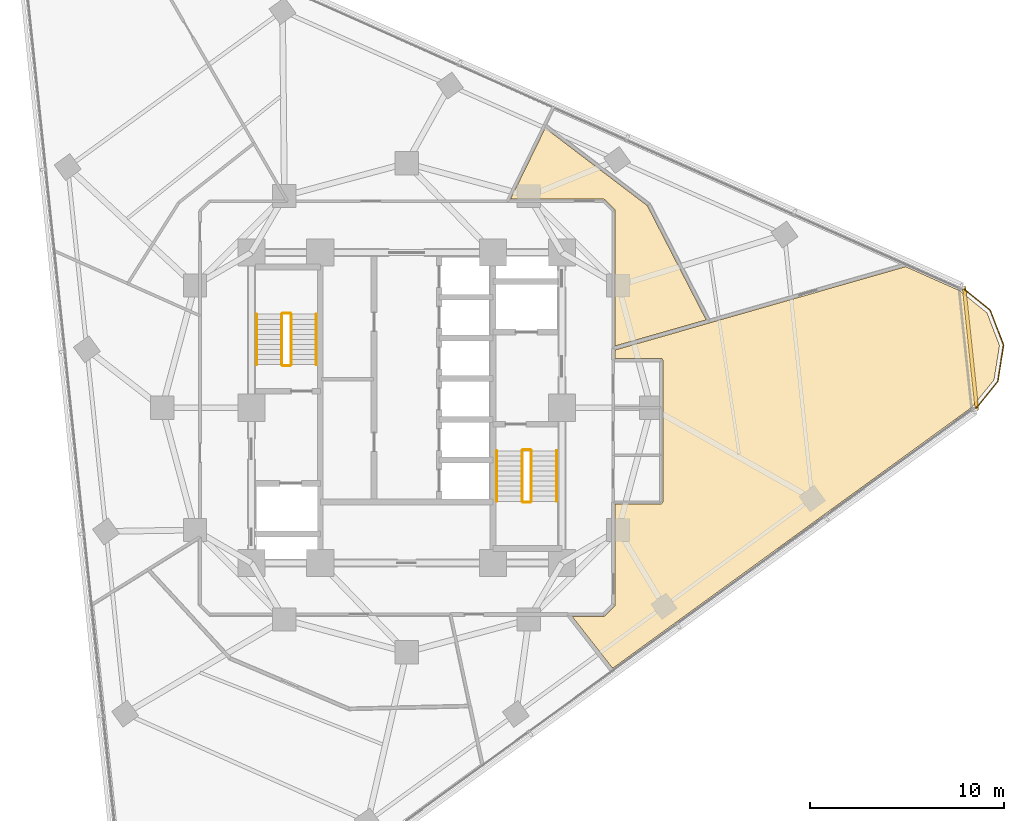
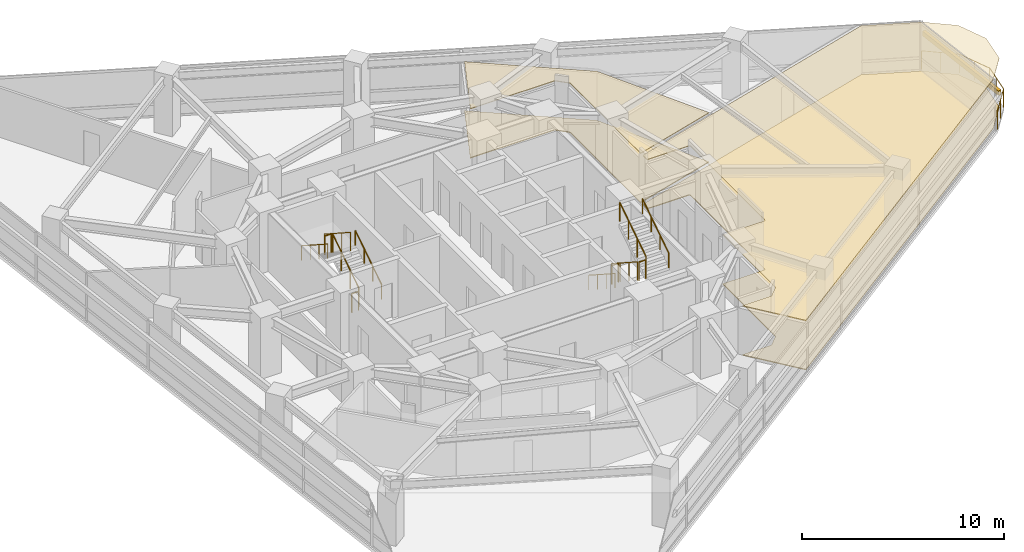
# One storey, part 13 of 14: 13 railings, 4 coverings, 1 shading device.
"""IFC4 building model written with IfcOpenShell, lengths in metres."""

from ifc_helpers import new_model, si_unit, direction, frame, origin, origin_2d, place, context, subcontext, project, spatial, polyline, rectangle, circle, outline, extrude, material, layer, layer_set, type_object, element, save


model = new_model("IFC4")

# Units and contexts
model_context = context("Model", 3, precision=1e-05, world=origin(), true_north=direction((0.0, 1.0)))
body_context = subcontext(model_context, "Body", "Model", "MODEL_VIEW")
ifc_project = project(units=[si_unit("LENGTHUNIT", "METRE"), si_unit("AREAUNIT", "SQUARE_METRE"), si_unit("VOLUMEUNIT", "CUBIC_METRE"), si_unit("PLANEANGLEUNIT", "RADIAN"), si_unit("MASSUNIT", "GRAM", prefix="KILO")], contexts=[model_context])

# Site, building, storey
site_placement = place(None, origin())
site = spatial("IfcSite", under=ifc_project, at=site_placement, CompositionType="ELEMENT")
building_placement = place(site_placement, origin())
building = spatial("IfcBuilding", under=site, at=building_placement, Name="Terralouvre Media Tower", CompositionType="ELEMENT")
storey_placement = place(building_placement, frame((0.0, 0.0, 154.60009765625)))
storey = spatial("IfcBuildingStorey", under=building, at=storey_placement, Name="L39", CompositionType="ELEMENT", Elevation=154.60009765625)

# Coverings
ifc_material_1 = material(Name="Resilient elastomer acoustic broadcast studio flooring")
ifc_layer_1 = layer(ifc_material_1, 0.050048828125, Name="Broadcast Studio Acoustic Floating Floor FL-AC1")
ifc_layer_set_1 = layer_set([ifc_layer_1], Name="Resilient elastomer acoustic broadcast studio flooring")
covering_type_1 = type_object("IfcCoveringType", Name="Broadcast Studio Acoustic Floating Floor FL-AC1", PredefinedType="FLOORING", material=ifc_layer_set_1)
covering_1_placement = place(storey_placement, frame((0.0, 0.0, 0.0), z_axis=(0.0, 0.0, 1.0), x_axis=(0.809016994375, 0.587785252292, 0.0)))
element("IfcCovering", 1, at=covering_1_placement, inside=storey, type_object=covering_type_1, Name="L39 Preview Screening Cinema 5 Acoustic Floating Floor", PredefinedType="FLOORING", context=body_context, shape_type="SweptSolid", body=[
    extrude(outline(polyline([(10.44775390625, -3.908935546875), (10.19580078125, -4.255615234375), (12.096923828125, -5.636962890625), (12.1044921875, -5.64306640625), (12.111572265625, -5.64990234375), (12.117919921875, -5.657470703125), (12.12353515625, -5.665771484375), (12.128173828125, -5.67431640625), (12.132080078125, -5.683349609375), (12.135009765625, -5.692626953125), (12.136962890625, -5.7021484375), (12.137939453125, -5.712158203125), (12.13818359375, -5.7216796875), (12.13720703125, -5.731689453125), (12.135498046875, -5.7412109375), (12.132568359375, -5.750732421875), (12.12890625, -5.759765625), (12.12451171875, -5.7685546875), (12.119140625, -5.776611328125), (7.828369140625, -11.6826171875), (7.822021484375, -11.690185546875), (7.815185546875, -11.697265625), (7.807861328125, -11.703369140625), (7.799560546875, -11.708984375), (7.791015625, -11.713623046875), (7.781982421875, -11.717529296875), (7.772705078125, -11.720458984375), (7.762939453125, -11.722412109375), (7.753173828125, -11.7236328125), (7.743408203125, -11.7236328125), (7.733642578125, -11.72265625), (7.72412109375, -11.720947265625), (7.714599609375, -11.71826171875), (7.70556640625, -11.714599609375), (7.69677734375, -11.7099609375), (7.6884765625, -11.70458984375), (5.787353515625, -10.3232421875), (2.73095703125, -14.5302734375), (2.724853515625, -14.537841796875), (2.718017578125, -14.544921875), (2.71044921875, -14.55126953125), (2.7021484375, -14.556640625), (2.693603515625, -14.561279296875), (2.6845703125, -14.565185546875), (2.67529296875, -14.568115234375), (2.665771484375, -14.570068359375), (1.96728515625, -14.680908203125), (1.95751953125, -14.681884765625), (1.94775390625, -14.681884765625), (1.93798828125, -14.68115234375), (1.92822265625, -14.67919921875), (1.918701171875, -14.676513671875), (1.90966796875, -14.6728515625), (1.901123046875, -14.668212890625), (1.892822265625, -14.662841796875), (0.5791015625, -13.70849609375), (0.697509765625, -17.10498046875), (23.571044921875, -17.105224609375), (25.335693359375, -16.63232421875), (26.60693359375, -15.36181640625), (27.072509765625, -13.6259765625), (26.598876953125, -11.860595703125), (25.084228515625, -9.236328125), (15.1982421875, -5.63818359375), (10.44775390625, -3.908935546875)])), origin(), (0.0, 0.0, 1.0), 0.0498046875),
])
covering_2_placement = place(storey_placement, frame((0.0, 0.0, 0.0), z_axis=(0.0, 0.0, 1.0), x_axis=(0.809016994375, 0.587785252292, 0.0)))
element("IfcCovering", 2, at=covering_2_placement, inside=storey, type_object=covering_type_1, Name="L39 Acoustic Music Listening Room 7 Acoustic Floating Floor", PredefinedType="FLOORING", context=body_context, shape_type="SweptSolid", body=[
    extrude(outline(polyline([(16.158203125, 1.129150390625), (14.251708984375, 7.46435546875), (10.650146484375, 5.5498046875), (14.5302734375, 2.73095703125), (14.537841796875, 2.724853515625), (14.544921875, 2.718017578125), (14.55126953125, 2.71044921875), (14.556640625, 2.7021484375), (14.561279296875, 2.693603515625), (14.565185546875, 2.6845703125), (14.568115234375, 2.67529296875), (14.570068359375, 2.665771484375), (14.680908203125, 1.96728515625), (14.681884765625, 1.95751953125), (14.681884765625, 1.94775390625), (14.68115234375, 1.93798828125), (14.67919921875, 1.92822265625), (14.676513671875, 1.918701171875), (14.6728515625, 1.90966796875), (14.668212890625, 1.901123046875), (14.662841796875, 1.892822265625), (10.570068359375, -3.740478515625), (15.152099609375, -5.408447265625), (16.158203125, 1.129150390625)])), origin(), (0.0, 0.0, 1.0), 0.0498046875),
])
ifc_material_2 = material(Name="Perforated aluminium acoustic ceiling baffle", Category="aluminium")
ifc_layer_2 = layer(ifc_material_2, 0.0400390625, Name="Perforated Acoustic Metal Tile Ceiling CL-AC1")
ifc_layer_set_2 = layer_set([ifc_layer_2], Name="Perforated aluminium acoustic ceiling baffle")
covering_type_2 = type_object("IfcCoveringType", Name="Perforated Acoustic Metal Tile Ceiling CL-AC1", PredefinedType="CEILING", material=ifc_layer_set_2)
covering_3_placement = place(storey_placement, frame((0.0, 0.0, 2.97998046875), z_axis=(0.0, 0.0, 1.0), x_axis=(0.809016994375, 0.587785252292, 0.0)))
element("IfcCovering", 3, at=covering_3_placement, inside=storey, type_object=covering_type_2, Name="L39 Preview Screening Cinema 5 Acoustic Ceiling", PredefinedType="CEILING", context=body_context, shape_type="SweptSolid", body=[
    extrude(outline(polyline([(10.44775390625, -3.908935546875), (10.19580078125, -4.255615234375), (12.096923828125, -5.636962890625), (12.1044921875, -5.64306640625), (12.111572265625, -5.64990234375), (12.117919921875, -5.657470703125), (12.12353515625, -5.665771484375), (12.128173828125, -5.67431640625), (12.132080078125, -5.683349609375), (12.135009765625, -5.692626953125), (12.136962890625, -5.7021484375), (12.137939453125, -5.712158203125), (12.13818359375, -5.7216796875), (12.13720703125, -5.731689453125), (12.135498046875, -5.7412109375), (12.132568359375, -5.750732421875), (12.12890625, -5.759765625), (12.12451171875, -5.7685546875), (12.119140625, -5.776611328125), (7.828369140625, -11.6826171875), (7.822021484375, -11.690185546875), (7.815185546875, -11.697265625), (7.807861328125, -11.703369140625), (7.799560546875, -11.708984375), (7.791015625, -11.713623046875), (7.781982421875, -11.717529296875), (7.772705078125, -11.720458984375), (7.762939453125, -11.722412109375), (7.753173828125, -11.7236328125), (7.743408203125, -11.7236328125), (7.733642578125, -11.72265625), (7.72412109375, -11.720947265625), (7.714599609375, -11.71826171875), (7.70556640625, -11.714599609375), (7.69677734375, -11.7099609375), (7.6884765625, -11.70458984375), (5.787353515625, -10.3232421875), (2.73095703125, -14.5302734375), (2.724853515625, -14.537841796875), (2.718017578125, -14.544921875), (2.71044921875, -14.55126953125), (2.7021484375, -14.556640625), (2.693603515625, -14.561279296875), (2.6845703125, -14.565185546875), (2.67529296875, -14.568115234375), (2.665771484375, -14.570068359375), (1.96728515625, -14.680908203125), (1.95751953125, -14.681884765625), (1.94775390625, -14.681884765625), (1.93798828125, -14.68115234375), (1.92822265625, -14.67919921875), (1.918701171875, -14.676513671875), (1.90966796875, -14.6728515625), (1.901123046875, -14.668212890625), (1.892822265625, -14.662841796875), (0.5791015625, -13.70849609375), (0.697509765625, -17.10498046875), (23.571044921875, -17.105224609375), (25.335693359375, -16.63232421875), (26.60693359375, -15.36181640625), (27.072509765625, -13.6259765625), (26.598876953125, -11.860595703125), (25.084228515625, -9.236328125), (15.1982421875, -5.63818359375), (10.44775390625, -3.908935546875)])), origin(), (0.0, 0.0, 1.0), 0.0400390625),
])
covering_4_placement = place(storey_placement, frame((0.0, 0.0, 2.97998046875), z_axis=(0.0, 0.0, 1.0), x_axis=(0.809016994375, 0.587785252292, 0.0)))
element("IfcCovering", 4, at=covering_4_placement, inside=storey, type_object=covering_type_2, Name="L39 Acoustic Music Listening Room 7 Acoustic Ceiling", PredefinedType="CEILING", context=body_context, shape_type="SweptSolid", body=[
    extrude(outline(polyline([(16.158203125, 1.129150390625), (14.251708984375, 7.46435546875), (10.650146484375, 5.5498046875), (14.5302734375, 2.73095703125), (14.537841796875, 2.724853515625), (14.544921875, 2.718017578125), (14.55126953125, 2.71044921875), (14.556640625, 2.7021484375), (14.561279296875, 2.693603515625), (14.565185546875, 2.6845703125), (14.568115234375, 2.67529296875), (14.570068359375, 2.665771484375), (14.680908203125, 1.96728515625), (14.681884765625, 1.95751953125), (14.681884765625, 1.94775390625), (14.68115234375, 1.93798828125), (14.67919921875, 1.92822265625), (14.676513671875, 1.918701171875), (14.6728515625, 1.90966796875), (14.668212890625, 1.901123046875), (14.662841796875, 1.892822265625), (10.570068359375, -3.740478515625), (15.152099609375, -5.408447265625), (16.158203125, 1.129150390625)])), origin(), (0.0, 0.0, 1.0), 0.0400390625),
])

# Railings
ifc_material_3 = material(Name="Stainless steel 316 handrail and balustrade", Category="steel")
ifc_layer_3 = layer(ifc_material_3, 0.06005859375, Name="Roof Edge Safety Guardrail GR-ROOF1")
ifc_layer_set_3 = layer_set([ifc_layer_3], Name="Stainless steel 316 handrail and balustrade")
railing_type_1 = type_object("IfcRailingType", Name="Roof Edge Safety Guardrail GR-ROOF1", PredefinedType="GUARDRAIL", material=ifc_layer_set_3)
railing_1_placement = place(storey_placement, frame((29.261474609375, -0.144775390625, 0.0)))
element("IfcRailing", 5, at=railing_1_placement, inside=storey, type_object=railing_type_1, Name="L39 Wind-Corner Perimeter Safety Guardrail C1", PredefinedType="GUARDRAIL", context=body_context, shape_type="SweptSolid", body=[
    extrude(circle(Radius=0.02099609375, at=origin_2d()), frame((0.0, 0.0, 1.12890625), z_axis=(0.629487951206, 0.777010244004, 0.0), x_axis=(-0.777010244004, 0.629487951206, 0.0)), (0.0, 0.0, 1.0), 1.914794921875),
    extrude(circle(Radius=0.02099609375, at=origin_2d()), frame((1.205322265625, 1.48779296875, 1.12890625), z_axis=(0.156493053434, 0.987679059324, 0.0), x_axis=(-0.987679059324, 0.156493053434, 0.0)), (0.0, 0.0, 1.0), 1.914306640625),
    extrude(circle(Radius=0.02099609375, at=origin_2d()), frame((1.5048828125, 3.37841796875, 1.12890625), z_axis=(-0.358380762009, 0.933575508152, 0.0), x_axis=(-0.933575508152, -0.358380762009, 0.0)), (0.0, 0.0, 1.0), 1.914306640625),
    extrude(circle(Radius=0.02099609375, at=origin_2d()), frame((0.81884765625, 5.16552734375, 1.12890625), z_axis=(-0.777298317119, 0.629132200896, 0.0), x_axis=(-0.629132200896, -0.777298317119, 0.0)), (0.0, 0.0, 1.0), 1.914794921875),
    extrude(circle(Radius=0.01904296875, at=origin_2d()), origin(), (0.0, 0.0, 1.0), 1.10791015625),
    extrude(circle(Radius=0.01904296875, at=origin_2d()), frame((0.6025390625, 0.743896484375, 0.0)), (0.0, 0.0, 1.0), 1.10791015625),
    extrude(circle(Radius=0.01904296875, at=origin_2d()), frame((1.205322265625, 1.48779296875, 0.0)), (0.0, 0.0, 1.0), 1.10791015625),
    extrude(circle(Radius=0.01904296875, at=origin_2d()), frame((1.35498046875, 2.43310546875, 0.0)), (0.0, 0.0, 1.0), 1.10791015625),
    extrude(circle(Radius=0.01904296875, at=origin_2d()), frame((1.5048828125, 3.37841796875, 0.0)), (0.0, 0.0, 1.0), 1.10791015625),
    extrude(circle(Radius=0.01904296875, at=origin_2d()), frame((1.161865234375, 4.27197265625, 0.0)), (0.0, 0.0, 1.0), 1.10791015625),
    extrude(circle(Radius=0.01904296875, at=origin_2d()), frame((0.81884765625, 5.16552734375, 0.0)), (0.0, 0.0, 1.0), 1.10791015625),
    extrude(circle(Radius=0.01904296875, at=origin_2d()), frame((0.07470703125, 5.767822265625, 0.0)), (0.0, 0.0, 1.0), 1.10791015625),
    extrude(circle(Radius=0.01904296875, at=origin_2d()), frame((-0.66943359375, 6.3701171875, 0.0)), (0.0, 0.0, 1.0), 1.10791015625),
])
ifc_material_4 = material(Name="Stainless steel 316 handrail and balustrade", Category="steel")
ifc_layer_4 = layer(ifc_material_4, 0.050048828125, Name="Stair Flight Wall Handrail HR-INT1")
ifc_layer_set_4 = layer_set([ifc_layer_4], Name="Stainless steel 316 handrail and balustrade")
railing_type_2 = type_object("IfcRailingType", Name="Stair Flight Wall Handrail HR-INT1", PredefinedType="HANDRAIL", material=ifc_layer_set_4)
railing_2_placement = place(storey_placement, frame((-4.64990234375, 2.219970703125, 0.16796875)))
element("IfcRailing", 6, at=railing_2_placement, inside=storey, type_object=railing_type_2, Name="L39 ST-01 stair handrail 1", PredefinedType="HANDRAIL", context=body_context, shape_type="SweptSolid", body=[
    extrude(circle(Radius=0.02392578125, at=origin_2d()), frame((0.0, 0.0, 0.8759765625), z_axis=(0.0, 0.839648411786, 0.543130320075), x_axis=(-1.0, 0.0, 0.0)), (0.0, 0.0, 1.0), 3.0966796875),
    extrude(circle(Radius=0.02099609375, at=origin_2d()), origin(), (0.0, 0.0, 1.0), 0.851806640625),
    extrude(circle(Radius=0.02099609375, at=origin_2d()), frame((0.0, 0.86669921875, 0.560546875)), (0.0, 0.0, 1.0), 0.851806640625),
    extrude(circle(Radius=0.02099609375, at=origin_2d()), frame((0.0, 1.7333984375, 1.121337890625)), (0.0, 0.0, 1.0), 0.851806640625),
    extrude(circle(Radius=0.02099609375, at=origin_2d()), frame((0.0, 2.60009765625, 1.681884765625)), (0.0, 0.0, 1.0), 0.851806640625),
])
for number, where, name in (
    (7, (-7.72998046875, 4.820068359375, 2.01806640625), "L39 ST-01 stair handrail 2"),
    (8, (4.64990234375, -2.219970703125, 0.16796875), "L39 ST-02 stair handrail 1"),
):
    element("IfcRailing", number, at=place(storey_placement, frame(where)), inside=storey, type_object=railing_type_2, Name=name, PredefinedType="HANDRAIL", context=body_context, shape_type="SweptSolid", body=[
        extrude(circle(Radius=0.02392578125, at=origin_2d()), frame((0.0, 0.0, 0.8759765625), z_axis=(0.0, -0.839648411786, 0.543130320075), x_axis=(1.0, 0.0, 0.0)), (0.0, 0.0, 1.0), 3.0966796875),
        extrude(circle(Radius=0.02099609375, at=origin_2d()), origin(), (0.0, 0.0, 1.0), 0.851806640625),
        extrude(circle(Radius=0.02099609375, at=origin_2d()), frame((0.0, -0.86669921875, 0.560546875)), (0.0, 0.0, 1.0), 0.851806640625),
        extrude(circle(Radius=0.02099609375, at=origin_2d()), frame((0.0, -1.7333984375, 1.121337890625)), (0.0, 0.0, 1.0), 0.851806640625),
        extrude(circle(Radius=0.02099609375, at=origin_2d()), frame((0.0, -2.60009765625, 1.681884765625)), (0.0, 0.0, 1.0), 0.851806640625),
    ])
railing_3_placement = place(storey_placement, frame((7.72998046875, -4.820068359375, 2.01806640625)))
element("IfcRailing", 9, at=railing_3_placement, inside=storey, type_object=railing_type_2, Name="L39 ST-02 stair handrail 2", PredefinedType="HANDRAIL", context=body_context, shape_type="SweptSolid", body=[
    extrude(circle(Radius=0.02392578125, at=origin_2d()), frame((0.0, 0.0, 0.8759765625), z_axis=(0.0, 0.839648411786, 0.543130320075), x_axis=(-1.0, 0.0, 0.0)), (0.0, 0.0, 1.0), 3.0966796875),
    extrude(circle(Radius=0.02099609375, at=origin_2d()), origin(), (0.0, 0.0, 1.0), 0.851806640625),
    extrude(circle(Radius=0.02099609375, at=origin_2d()), frame((0.0, 0.86669921875, 0.560546875)), (0.0, 0.0, 1.0), 0.851806640625),
    extrude(circle(Radius=0.02099609375, at=origin_2d()), frame((0.0, 1.7333984375, 1.121337890625)), (0.0, 0.0, 1.0), 0.851806640625),
    extrude(circle(Radius=0.02099609375, at=origin_2d()), frame((0.0, 2.60009765625, 1.681884765625)), (0.0, 0.0, 1.0), 0.851806640625),
])
ifc_material_5 = material(Name="Stainless steel 316 handrail and balustrade", Category="steel")
ifc_layer_5 = layer(ifc_material_5, 0.050048828125, Name="Stairwell Safety Guardrail GR-INT1")
ifc_layer_set_5 = layer_set([ifc_layer_5], Name="Stainless steel 316 handrail and balustrade")
railing_type_3 = type_object("IfcRailingType", Name="Stairwell Safety Guardrail GR-INT1", PredefinedType="GUARDRAIL", material=ifc_layer_set_5)
railing_4_placement = place(storey_placement, frame((-5.949951171875, 2.219970703125, 0.16796875)))
element("IfcRailing", 10, at=railing_4_placement, inside=storey, type_object=railing_type_3, Name="L39 ST-01 stair guard 1", PredefinedType="GUARDRAIL", context=body_context, shape_type="SweptSolid", body=[
    extrude(circle(Radius=0.02392578125, at=origin_2d()), frame((0.0, 0.0, 1.1259765625), z_axis=(0.0, 0.839648411786, 0.543130320075), x_axis=(-1.0, 0.0, 0.0)), (0.0, 0.0, 1.0), 3.0966796875),
    extrude(circle(Radius=0.02099609375, at=origin_2d()), origin(), (0.0, 0.0, 1.0), 1.101806640625),
    extrude(circle(Radius=0.02099609375, at=origin_2d()), frame((0.0, 0.86669921875, 0.560546875)), (0.0, 0.0, 1.0), 1.101806640625),
    extrude(circle(Radius=0.02099609375, at=origin_2d()), frame((0.0, 1.7333984375, 1.121337890625)), (0.0, 0.0, 1.0), 1.101806640625),
    extrude(circle(Radius=0.02099609375, at=origin_2d()), frame((0.0, 2.60009765625, 1.681884765625)), (0.0, 0.0, 1.0), 1.101806640625),
])
railing_5_placement = place(storey_placement, frame((-6.0, 4.8701171875, 1.849853515625)))
element("IfcRailing", 11, at=railing_5_placement, inside=storey, type_object=railing_type_3, Name="L39 ST-01 stair guard 2", PredefinedType="GUARDRAIL", context=body_context, shape_type="SweptSolid", body=[
    extrude(circle(Radius=0.02392578125, at=origin_2d()), frame((0.0, 0.0, 1.1259765625), z_axis=(-1.0, 0.0, 0.0), x_axis=(0.0, -1.0, 0.0)), (0.0, 0.0, 1.0), 0.3798828125),
    extrude(circle(Radius=0.02099609375, at=origin_2d()), origin(), (0.0, 0.0, 1.0), 1.101806640625),
    extrude(circle(Radius=0.02099609375, at=origin_2d()), frame((-0.3798828125, 0.0, 0.0)), (0.0, 0.0, 1.0), 1.101806640625),
])
railing_6_placement = place(storey_placement, frame((-6.429931640625, 4.820068359375, 2.01806640625)))
element("IfcRailing", 12, at=railing_6_placement, inside=storey, type_object=railing_type_3, Name="L39 ST-01 stair guard 3", PredefinedType="GUARDRAIL", context=body_context, shape_type="SweptSolid", body=[
    extrude(circle(Radius=0.02392578125, at=origin_2d()), frame((0.0, 0.0, 1.1259765625), z_axis=(0.0, -0.839648411786, 0.543130320075), x_axis=(1.0, 0.0, 0.0)), (0.0, 0.0, 1.0), 3.0966796875),
    extrude(circle(Radius=0.02099609375, at=origin_2d()), origin(), (0.0, 0.0, 1.0), 1.101806640625),
    extrude(circle(Radius=0.02099609375, at=origin_2d()), frame((0.0, -0.86669921875, 0.560546875)), (0.0, 0.0, 1.0), 1.101806640625),
    extrude(circle(Radius=0.02099609375, at=origin_2d()), frame((0.0, -1.7333984375, 1.121337890625)), (0.0, 0.0, 1.0), 1.101806640625),
    extrude(circle(Radius=0.02099609375, at=origin_2d()), frame((0.0, -2.60009765625, 1.681884765625)), (0.0, 0.0, 1.0), 1.101806640625),
])
railing_7_placement = place(storey_placement, frame((-6.0, 2.169921875, 0.0)))
element("IfcRailing", 13, at=railing_7_placement, inside=storey, type_object=railing_type_3, Name="L39 ST-01 stair guard 4", PredefinedType="GUARDRAIL", context=body_context, shape_type="SweptSolid", body=[
    extrude(circle(Radius=0.02392578125, at=origin_2d()), frame((0.0, 0.0, 1.1259765625), z_axis=(-1.0, 0.0, 0.0), x_axis=(0.0, -1.0, 0.0)), (0.0, 0.0, 1.0), 0.3798828125),
    extrude(circle(Radius=0.02099609375, at=origin_2d()), origin(), (0.0, 0.0, 1.0), 1.101806640625),
    extrude(circle(Radius=0.02099609375, at=origin_2d()), frame((-0.3798828125, 0.0, 0.0)), (0.0, 0.0, 1.0), 1.101806640625),
])
railing_8_placement = place(storey_placement, frame((5.949951171875, -2.219970703125, 0.16796875)))
element("IfcRailing", 14, at=railing_8_placement, inside=storey, type_object=railing_type_3, Name="L39 ST-02 stair guard 1", PredefinedType="GUARDRAIL", context=body_context, shape_type="SweptSolid", body=[
    extrude(circle(Radius=0.02392578125, at=origin_2d()), frame((0.0, 0.0, 1.1259765625), z_axis=(0.0, -0.839648411786, 0.543130320075), x_axis=(1.0, 0.0, 0.0)), (0.0, 0.0, 1.0), 3.0966796875),
    extrude(circle(Radius=0.02099609375, at=origin_2d()), origin(), (0.0, 0.0, 1.0), 1.101806640625),
    extrude(circle(Radius=0.02099609375, at=origin_2d()), frame((0.0, -0.86669921875, 0.560546875)), (0.0, 0.0, 1.0), 1.101806640625),
    extrude(circle(Radius=0.02099609375, at=origin_2d()), frame((0.0, -1.7333984375, 1.121337890625)), (0.0, 0.0, 1.0), 1.101806640625),
    extrude(circle(Radius=0.02099609375, at=origin_2d()), frame((0.0, -2.60009765625, 1.681884765625)), (0.0, 0.0, 1.0), 1.101806640625),
])
railing_9_placement = place(storey_placement, frame((6.0, -4.8701171875, 1.849853515625)))
element("IfcRailing", 15, at=railing_9_placement, inside=storey, type_object=railing_type_3, Name="L39 ST-02 stair guard 2", PredefinedType="GUARDRAIL", context=body_context, shape_type="SweptSolid", body=[
    extrude(circle(Radius=0.02392578125, at=origin_2d()), frame((0.0, 0.0, 1.1259765625), z_axis=(1.0, 0.0, 0.0), x_axis=(0.0, 1.0, 0.0)), (0.0, 0.0, 1.0), 0.3798828125),
    extrude(circle(Radius=0.02099609375, at=origin_2d()), origin(), (0.0, 0.0, 1.0), 1.101806640625),
    extrude(circle(Radius=0.02099609375, at=origin_2d()), frame((0.3798828125, 0.0, 0.0)), (0.0, 0.0, 1.0), 1.101806640625),
])
railing_10_placement = place(storey_placement, frame((6.429931640625, -4.820068359375, 2.01806640625)))
element("IfcRailing", 16, at=railing_10_placement, inside=storey, type_object=railing_type_3, Name="L39 ST-02 stair guard 3", PredefinedType="GUARDRAIL", context=body_context, shape_type="SweptSolid", body=[
    extrude(circle(Radius=0.02392578125, at=origin_2d()), frame((0.0, 0.0, 1.1259765625), z_axis=(0.0, 0.839648411786, 0.543130320075), x_axis=(-1.0, 0.0, 0.0)), (0.0, 0.0, 1.0), 3.0966796875),
    extrude(circle(Radius=0.02099609375, at=origin_2d()), origin(), (0.0, 0.0, 1.0), 1.101806640625),
    extrude(circle(Radius=0.02099609375, at=origin_2d()), frame((0.0, 0.86669921875, 0.560546875)), (0.0, 0.0, 1.0), 1.101806640625),
    extrude(circle(Radius=0.02099609375, at=origin_2d()), frame((0.0, 1.7333984375, 1.121337890625)), (0.0, 0.0, 1.0), 1.101806640625),
    extrude(circle(Radius=0.02099609375, at=origin_2d()), frame((0.0, 2.60009765625, 1.681884765625)), (0.0, 0.0, 1.0), 1.101806640625),
])
railing_11_placement = place(storey_placement, frame((6.0, -2.169921875, 0.0)))
element("IfcRailing", 17, at=railing_11_placement, inside=storey, type_object=railing_type_3, Name="L39 ST-02 stair guard 4", PredefinedType="GUARDRAIL", context=body_context, shape_type="SweptSolid", body=[
    extrude(circle(Radius=0.02392578125, at=origin_2d()), frame((0.0, 0.0, 1.1259765625), z_axis=(1.0, 0.0, 0.0), x_axis=(0.0, 1.0, 0.0)), (0.0, 0.0, 1.0), 0.3798828125),
    extrude(circle(Radius=0.02099609375, at=origin_2d()), origin(), (0.0, 0.0, 1.0), 1.101806640625),
    extrude(circle(Radius=0.02099609375, at=origin_2d()), frame((0.3798828125, 0.0, 0.0)), (0.0, 0.0, 1.0), 1.101806640625),
])

# Shading device
ifc_material_6 = material(Name="Extruded terracotta baguette sunshade louvres", Category="masonry")
shading_device_type = type_object("IfcShadingDeviceType", Name="Terracotta Baguette Sunshade Louvre Screen TB-LV1", PredefinedType="USERDEFINED", material=ifc_material_6)
shading_device_placement = place(storey_placement, frame((29.060791015625, 3.054443359375, 2.02392578125), z_axis=(0.0, 0.0, 1.0), x_axis=(-0.10452850319, 0.994521891172, 0.0)))
element("IfcShadingDevice", 18, at=shading_device_placement, inside=storey, type_object=shading_device_type, Name="CW-L39-C1 Terracotta Baguette Sunshade Louvre", ObjectType="BAGUETTE", PredefinedType="USERDEFINED", context=body_context, shape_type="SweptSolid", body=[
    extrude(rectangle(XDim=6.40869140625, YDim=0.179931640625, at=origin_2d()), origin(), (0.0, 0.0, 1.0), 0.280029296875),
])

save(model, "model.ifc")
